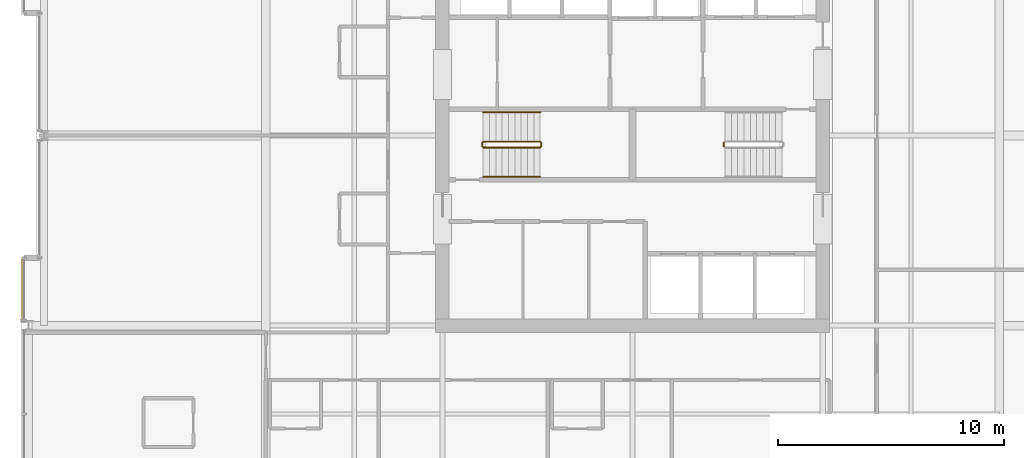
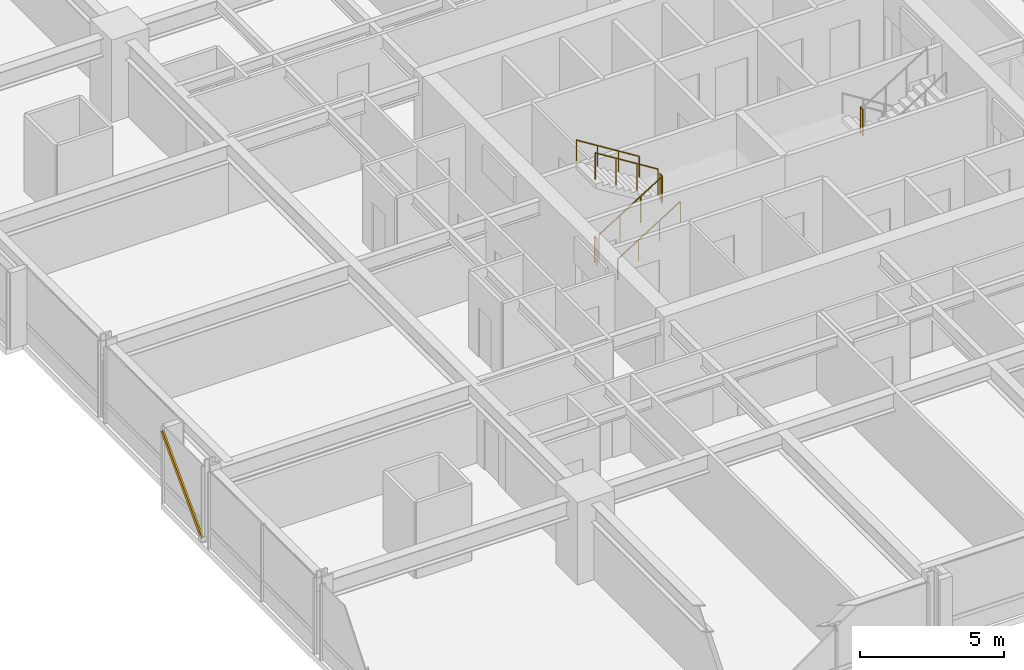
# One storey, part 32 of 34: 7 railings, 1 shading device.
"""IFC4 building model written with IfcOpenShell, lengths in metres."""

from ifc_helpers import new_model, si_unit, direction, frame, origin, origin_2d, place, context, subcontext, project, spatial, hollow_rectangle, circle, extrude, material, material_profile, profile_set, type_object, element, save


model = new_model("IFC4")

# Units and contexts
model_context = context("Model", 3, precision=1e-05, world=origin(), true_north=direction((0.0, 1.0)))
body_context = subcontext(model_context, "Body", "Model", "MODEL_VIEW")
ifc_project = project(units=[si_unit("LENGTHUNIT", "METRE"), si_unit("AREAUNIT", "SQUARE_METRE"), si_unit("VOLUMEUNIT", "CUBIC_METRE"), si_unit("PLANEANGLEUNIT", "RADIAN"), si_unit("MASSUNIT", "GRAM", prefix="KILO")], contexts=[model_context])

# Site, building, storey
site_placement = place(None, origin())
site = spatial("IfcSite", under=ifc_project, at=site_placement, CompositionType="ELEMENT")
building_placement = place(site_placement, origin())
building = spatial("IfcBuilding", under=site, at=building_placement, Name="Drelvath Grand Hotel", CompositionType="ELEMENT")
storey_placement = place(building_placement, frame((0.0, 0.0, 112.800048828125)))
storey = spatial("IfcBuildingStorey", under=building, at=storey_placement, Name="L28", CompositionType="ELEMENT", Elevation=112.800048828125)

# Railings
ifc_material_1 = material(Name="Painted Steel S275", Category="steel")
railing_type_1 = type_object("IfcRailingType", Name="Core Stair Wall Handrail 900", PredefinedType="HANDRAIL", material=ifc_material_1)
railing_1_placement = place(storey_placement, frame((-6.60009765625, 25.169921875, 0.175048828125)))
element("IfcRailing", 1, at=railing_1_placement, inside=storey, type_object=railing_type_1, Name="L28 ST-1 stair handrail 1", PredefinedType="HANDRAIL", context=body_context, shape_type="SweptSolid", body=[
    extrude(circle(Radius=0.02392578125, at=origin_2d()), frame((0.0, 0.0, 0.8759765625), z_axis=(0.848007534815, 0.0, 0.529984170421), x_axis=(0.0, 1.0, 0.0)), (0.0, 0.0, 1.0), 2.9716796875),
    extrude(circle(Radius=0.02099609375, at=origin_2d()), origin(), (0.0, 0.0, 1.0), 0.851806640625),
    extrude(circle(Radius=0.02099609375, at=origin_2d()), frame((0.840087890625, 0.0, 0.52490234375)), (0.0, 0.0, 1.0), 0.851806640625),
    extrude(circle(Radius=0.02099609375, at=origin_2d()), frame((1.679931640625, 0.0, 1.050048828125)), (0.0, 0.0, 1.0), 0.851806640625),
    extrude(circle(Radius=0.02099609375, at=origin_2d()), frame((2.52001953125, 0.0, 1.574951171875)), (0.0, 0.0, 1.0), 0.851806640625),
])
railing_2_placement = place(storey_placement, frame((-4.080078125, 28.030029296875, 1.925048828125)))
element("IfcRailing", 2, at=railing_2_placement, inside=storey, type_object=railing_type_1, Name="L28 ST-1 stair handrail 2", PredefinedType="HANDRAIL", context=body_context, shape_type="SweptSolid", body=[
    extrude(circle(Radius=0.02392578125, at=origin_2d()), frame((0.0, 0.0, 0.8759765625), z_axis=(-0.848007534815, 0.0, 0.529984170421), x_axis=(0.0, -1.0, 0.0)), (0.0, 0.0, 1.0), 2.9716796875),
    extrude(circle(Radius=0.02099609375, at=origin_2d()), origin(), (0.0, 0.0, 1.0), 0.851806640625),
    extrude(circle(Radius=0.02099609375, at=origin_2d()), frame((-0.840087890625, 0.0, 0.52490234375)), (0.0, 0.0, 1.0), 0.851806640625),
    extrude(circle(Radius=0.02099609375, at=origin_2d()), frame((-1.679931640625, 0.0, 1.050048828125)), (0.0, 0.0, 1.0), 0.851806640625),
    extrude(circle(Radius=0.02099609375, at=origin_2d()), frame((-2.52001953125, 0.0, 1.574951171875)), (0.0, 0.0, 1.0), 0.851806640625),
])
railing_type_2 = type_object("IfcRailingType", Name="Core Stair Well Guardrail 1100", PredefinedType="GUARDRAIL", material=ifc_material_1)
railing_3_placement = place(storey_placement, frame((-6.60009765625, 26.469970703125, 0.175048828125)))
element("IfcRailing", 3, at=railing_3_placement, inside=storey, type_object=railing_type_2, Name="L28 ST-1 stair guard 1", PredefinedType="GUARDRAIL", context=body_context, shape_type="SweptSolid", body=[
    extrude(circle(Radius=0.02392578125, at=origin_2d()), frame((0.0, 0.0, 1.1259765625), z_axis=(0.848007534815, 0.0, 0.529984170421), x_axis=(0.0, 1.0, 0.0)), (0.0, 0.0, 1.0), 2.9716796875),
    extrude(circle(Radius=0.02099609375, at=origin_2d()), origin(), (0.0, 0.0, 1.0), 1.101806640625),
    extrude(circle(Radius=0.02099609375, at=origin_2d()), frame((0.840087890625, 0.0, 0.52490234375)), (0.0, 0.0, 1.0), 1.101806640625),
    extrude(circle(Radius=0.02099609375, at=origin_2d()), frame((1.679931640625, 0.0, 1.050048828125)), (0.0, 0.0, 1.0), 1.101806640625),
    extrude(circle(Radius=0.02099609375, at=origin_2d()), frame((2.52001953125, 0.0, 1.574951171875)), (0.0, 0.0, 1.0), 1.101806640625),
])
railing_4_placement = place(storey_placement, frame((-4.030029296875, 26.52001953125, 1.75)))
element("IfcRailing", 4, at=railing_4_placement, inside=storey, type_object=railing_type_2, Name="L28 ST-1 stair guard 2", PredefinedType="GUARDRAIL", context=body_context, shape_type="SweptSolid", body=[
    extrude(circle(Radius=0.02392578125, at=origin_2d()), frame((0.0, 0.0, 1.1259765625), z_axis=(0.0, 1.0, 0.0), x_axis=(-1.0, 0.0, 0.0)), (0.0, 0.0, 1.0), 0.159912109375),
    extrude(circle(Radius=0.02099609375, at=origin_2d()), origin(), (0.0, 0.0, 1.0), 1.101806640625),
    extrude(circle(Radius=0.02099609375, at=origin_2d()), frame((0.0, 0.159912109375, 0.0)), (0.0, 0.0, 1.0), 1.101806640625),
])
railing_5_placement = place(storey_placement, frame((-4.080078125, 26.72998046875, 1.925048828125)))
element("IfcRailing", 5, at=railing_5_placement, inside=storey, type_object=railing_type_2, Name="L28 ST-1 stair guard 3", PredefinedType="GUARDRAIL", context=body_context, shape_type="SweptSolid", body=[
    extrude(circle(Radius=0.02392578125, at=origin_2d()), frame((0.0, 0.0, 1.1259765625), z_axis=(-0.848007534815, 0.0, 0.529984170421), x_axis=(0.0, -1.0, 0.0)), (0.0, 0.0, 1.0), 2.9716796875),
    extrude(circle(Radius=0.02099609375, at=origin_2d()), origin(), (0.0, 0.0, 1.0), 1.101806640625),
    extrude(circle(Radius=0.02099609375, at=origin_2d()), frame((-0.840087890625, 0.0, 0.52490234375)), (0.0, 0.0, 1.0), 1.101806640625),
    extrude(circle(Radius=0.02099609375, at=origin_2d()), frame((-1.679931640625, 0.0, 1.050048828125)), (0.0, 0.0, 1.0), 1.101806640625),
    extrude(circle(Radius=0.02099609375, at=origin_2d()), frame((-2.52001953125, 0.0, 1.574951171875)), (0.0, 0.0, 1.0), 1.101806640625),
])
railing_6_placement = place(storey_placement, frame((-6.64990234375, 26.52001953125, 0.0)))
element("IfcRailing", 6, at=railing_6_placement, inside=storey, type_object=railing_type_2, Name="L28 ST-1 stair guard 4", PredefinedType="GUARDRAIL", context=body_context, shape_type="SweptSolid", body=[
    extrude(circle(Radius=0.02392578125, at=origin_2d()), frame((0.0, 0.0, 1.1259765625), z_axis=(0.0, 1.0, 0.0), x_axis=(-1.0, 0.0, 0.0)), (0.0, 0.0, 1.0), 0.159912109375),
    extrude(circle(Radius=0.02099609375, at=origin_2d()), origin(), (0.0, 0.0, 1.0), 1.101806640625),
    extrude(circle(Radius=0.02099609375, at=origin_2d()), frame((0.0, 0.159912109375, 0.0)), (0.0, 0.0, 1.0), 1.101806640625),
])
railing_7_placement = place(storey_placement, frame((4.030029296875, 26.679931640625, 1.75)))
element("IfcRailing", 7, at=railing_7_placement, inside=storey, type_object=railing_type_2, Name="L28 ST-2 stair guard 2", PredefinedType="GUARDRAIL", context=body_context, shape_type="SweptSolid", body=[
    extrude(circle(Radius=0.02392578125, at=origin_2d()), frame((0.0, 0.0, 1.1259765625), z_axis=(0.0, -1.0, 0.0), x_axis=(1.0, 0.0, 0.0)), (0.0, 0.0, 1.0), 0.159912109375),
    extrude(circle(Radius=0.02099609375, at=origin_2d()), origin(), (0.0, 0.0, 1.0), 1.101806640625),
    extrude(circle(Radius=0.02099609375, at=origin_2d()), frame((0.0, -0.159912109375, 0.0)), (0.0, 0.0, 1.0), 1.101806640625),
])

# Shading device
ifc_material_2 = material(Name="Champagne Bronze Anodised Aluminium", Category="aluminium")
ifc_material_profile = material_profile(ifc_material_2, hollow_rectangle(XDim=0.06494140625, YDim=0.159912109375, WallThickness=0.00390625, at=origin_2d()), Name="HSS160X65X4")
ifc_profile_set = profile_set([ifc_material_profile], Name="Champagne Bronze Anodised Aluminium")
shading_device_type = type_object("IfcShadingDeviceType", Name="Diagonal Solar Fin Champagne Anodised HSS160X65X4", PredefinedType="USERDEFINED", material=ifc_profile_set)
shading_device_placement = place(storey_placement, frame((-26.9599609375, 18.819580078125, 0.179931640625), z_axis=(0.0, 0.694556420652, 0.719438238163), x_axis=(-1.0, 0.0, 0.0)))
element("IfcShadingDevice", 8, at=shading_device_placement, inside=storey, type_object=shading_device_type, Name="L28 Diagonal Anodised Fin CW03-L28-WS3", ObjectType="FIN", PredefinedType="USERDEFINED", context=body_context, shape_type="SweptSolid", body=[
    extrude(hollow_rectangle(XDim=0.06494140625, YDim=0.159912109375, WallThickness=0.00390625, at=origin_2d()), origin(), (0.0, 0.0, 1.0), 4.00341796875),
])

save(model, "model.ifc")
